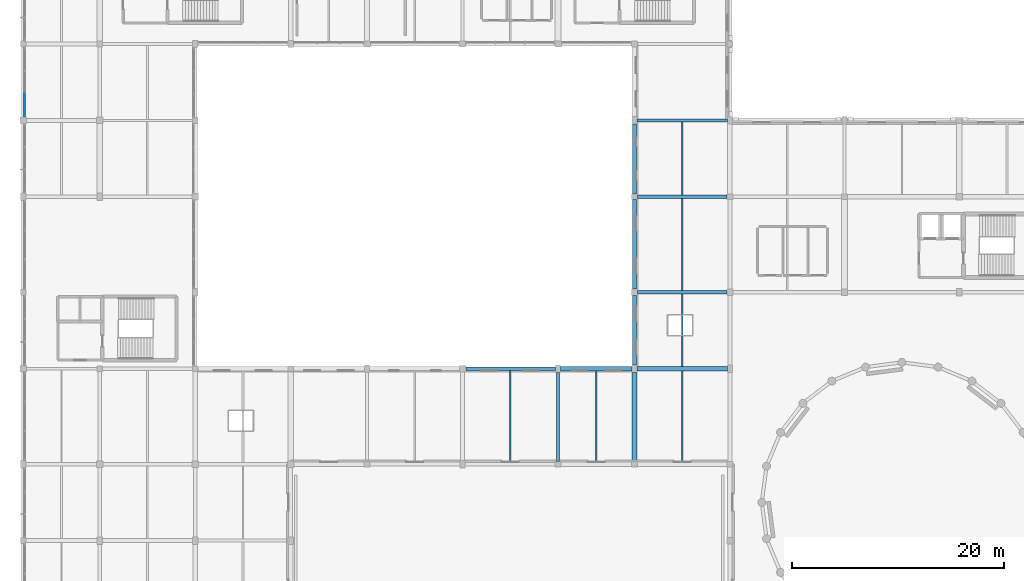
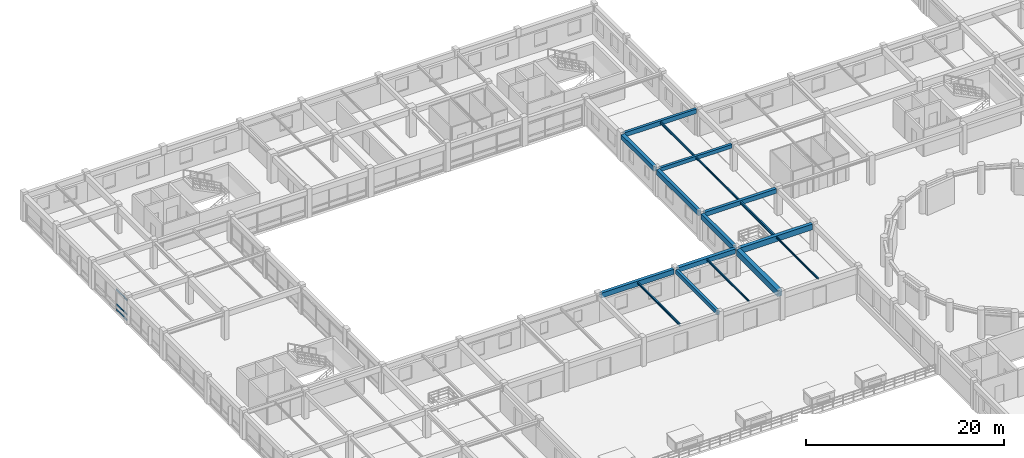
# One storey, part 22 of 74: 17 beams, 3 members, 1 element without a shape of its own.
"""IFC4 building model written with IfcOpenShell, lengths in metres."""

from ifc_helpers import new_model, si_unit, direction, frame, origin, origin_2d, place, context, subcontext, project, spatial, rectangle, i_section, extrude, material, material_profile, profile_set, type_object, element, aggregate, save


model = new_model("IFC4")

# Units and contexts
model_context = context("Model", 3, precision=1e-05, world=origin(), true_north=direction((0.0, 1.0)))
body_context = subcontext(model_context, "Body", "Model", "MODEL_VIEW")
ifc_project = project(units=[si_unit("LENGTHUNIT", "METRE"), si_unit("AREAUNIT", "SQUARE_METRE"), si_unit("VOLUMEUNIT", "CUBIC_METRE"), si_unit("PLANEANGLEUNIT", "RADIAN"), si_unit("MASSUNIT", "GRAM", prefix="KILO")], contexts=[model_context])

# Site, building, storey
site_placement = place(None, origin())
site = spatial("IfcSite", under=ifc_project, at=site_placement, CompositionType="ELEMENT")
building_placement = place(site_placement, origin())
building = spatial("IfcBuilding", under=site, at=building_placement, Name="Clarverna Civic Hall", CompositionType="ELEMENT")
storey_placement = place(building_placement, frame((0.0, 0.0, 9.60009765625)))
storey = spatial("IfcBuildingStorey", under=building, at=storey_placement, Name="L02", CompositionType="ELEMENT", Elevation=9.60009765625)

# Beams
ifc_material_1 = material(Name="Concrete C35/45", Category="concrete")
ifc_material_profile_1 = material_profile(ifc_material_1, rectangle(XDim=0.300048828125, YDim=0.550048828125, at=origin_2d()), Name="RC 300x550")
ifc_profile_set_1 = profile_set([ifc_material_profile_1], Name="Concrete C35/45")
beam_type_1 = type_object("IfcBeamType", Name="B-RC11", PredefinedType="BEAM", material=ifc_profile_set_1)
beam_1_placement = place(storey_placement, frame((57.85009765625, 95.0, 3.0048828125), z_axis=(1.0, 0.0, 0.0), x_axis=(0.0, 1.0, 0.0)))
element("IfcBeam", 1, at=beam_1_placement, inside=storey, type_object=beam_type_1, Name="B-RC11-028", PredefinedType="BEAM", context=body_context, shape_type="SweptSolid", body=[
    extrude(rectangle(XDim=0.300048828125, YDim=0.550048828125, at=origin_2d()), origin(), (0.0, 0.0, 1.0), 8.5),
])
ifc_material_profile_2 = material_profile(ifc_material_1, rectangle(XDim=0.300048828125, YDim=0.5, at=origin_2d()), Name="RC 300x500")
ifc_profile_set_2 = profile_set([ifc_material_profile_2], Name="Concrete C35/45")
beam_type_2 = type_object("IfcBeamType", Name="B-RC12", PredefinedType="BEAM", material=ifc_profile_set_2)
beam_2_placement = place(storey_placement, frame((50.39990234375, 62.875, 3.10986328125), z_axis=(0.0, 1.0, 0.0), x_axis=(-1.0, 0.0, 0.0)))
element("IfcBeam", 2, at=beam_2_placement, inside=storey, type_object=beam_type_2, Name="B-RC12-041", PredefinedType="BEAM", context=body_context, shape_type="SweptSolid", body=[
    extrude(rectangle(XDim=0.300048828125, YDim=0.5, at=origin_2d()), origin(), (0.0, 0.0, 1.0), 8.375),
])
ifc_material_profile_3 = material_profile(ifc_material_1, rectangle(XDim=0.5, YDim=0.75, at=origin_2d()), Name="RC 500x750")
ifc_profile_set_3 = profile_set([ifc_material_profile_3], Name="Concrete C35/45")
beam_type_3 = type_object("IfcBeamType", Name="B-RC15", PredefinedType="BEAM", material=ifc_profile_set_3)
beam_3_placement = place(storey_placement, frame((57.60009765625, 62.875, 2.98486328125), z_axis=(0.0, 1.0, 0.0), x_axis=(-1.0, 0.0, 0.0)))
element("IfcBeam", 3, at=beam_3_placement, inside=storey, type_object=beam_type_3, Name="B-RC15-040", PredefinedType="BEAM", context=body_context, shape_type="SweptSolid", body=[
    extrude(rectangle(XDim=0.5, YDim=0.75, at=origin_2d()), origin(), (0.0, 0.0, 1.0), 8.375),
])
ifc_material_profile_4 = material_profile(ifc_material_1, rectangle(XDim=0.300048828125, YDim=0.449951171875, at=origin_2d()), Name="RC 300x450")
ifc_profile_set_4 = profile_set([ifc_material_profile_4], Name="Concrete C35/45")
beam_type_4 = type_object("IfcBeamType", Name="B-RC18", PredefinedType="BEAM", material=ifc_profile_set_4)
beam_4_placement = place(storey_placement, frame((57.875, 87.800048828125, 3.054931640625), z_axis=(1.0, 0.0, 0.0), x_axis=(0.0, 1.0, 0.0)))
element("IfcBeam", 4, at=beam_4_placement, inside=storey, type_object=beam_type_4, Name="B-RC18-034", PredefinedType="BEAM", context=body_context, shape_type="SweptSolid", body=[
    extrude(rectangle(XDim=0.300048828125, YDim=0.449951171875, at=origin_2d()), origin(), (0.0, 0.0, 1.0), 8.449951171875),
])
ifc_material_profile_5 = material_profile(ifc_material_1, rectangle(XDim=0.39990234375, YDim=0.699951171875, at=origin_2d()), Name="RC 400x700")
ifc_profile_set_5 = profile_set([ifc_material_profile_5], Name="Concrete C35/45")
beam_type_5 = type_object("IfcBeamType", Name="B-RC5", PredefinedType="BEAM", material=ifc_profile_set_5)
beam_5_placement = place(storey_placement, frame((57.85009765625, 71.60009765625, 2.929931640625), z_axis=(1.0, 0.0, 0.0), x_axis=(0.0, 1.0, 0.0)))
element("IfcBeam", 5, at=beam_5_placement, inside=storey, type_object=beam_type_5, Name="B-RC5-029", PredefinedType="BEAM", context=body_context, shape_type="SweptSolid", body=[
    extrude(rectangle(XDim=0.39990234375, YDim=0.699951171875, at=origin_2d()), origin(), (0.0, 0.0, 1.0), 8.5),
])
ifc_material_profile_6 = material_profile(ifc_material_1, rectangle(XDim=0.35009765625, YDim=0.550048828125, at=origin_2d()), Name="RC 350x550")
ifc_profile_set_6 = profile_set([ifc_material_profile_6], Name="Concrete C35/45")
beam_type_6 = type_object("IfcBeamType", Name="B-RC9", PredefinedType="BEAM", material=ifc_profile_set_6)
beam_6_placement = place(storey_placement, frame((57.89990234375, 78.800048828125, 3.0048828125), z_axis=(1.0, 0.0, 0.0), x_axis=(0.0, 1.0, 0.0)))
element("IfcBeam", 6, at=beam_6_placement, inside=storey, type_object=beam_type_6, Name="B-RC9-034", PredefinedType="BEAM", context=body_context, shape_type="SweptSolid", body=[
    extrude(rectangle(XDim=0.35009765625, YDim=0.550048828125, at=origin_2d()), origin(), (0.0, 0.0, 1.0), 8.400146484375),
])
ifc_material_profile_7 = material_profile(ifc_material_1, rectangle(XDim=0.3798828125, YDim=0.679931640625, at=origin_2d()), Name="RC 380x680")
ifc_profile_set_7 = profile_set([ifc_material_profile_7], Name="Concrete C35/45")
beam_type_7 = type_object("IfcBeamType", Name="B-SP2", PredefinedType="SPANDREL", material=ifc_profile_set_7)
beam_7_placement = place(storey_placement, frame((57.60009765625, 71.949951171875, 3.02001953125), z_axis=(0.0, 1.0, 0.0), x_axis=(-1.0, 0.0, 0.0)))
element("IfcBeam", 7, at=beam_7_placement, inside=storey, type_object=beam_type_7, Name="B-SP2-102", PredefinedType="SPANDREL", context=body_context, shape_type="SweptSolid", body=[
    extrude(rectangle(XDim=0.3798828125, YDim=0.679931640625, at=origin_2d()), origin(), (0.0, 0.0, 1.0), 6.550048828125),
])
ifc_material_profile_8 = material_profile(ifc_material_1, rectangle(XDim=0.360107421875, YDim=0.6201171875, at=origin_2d()), Name="RC 360x620")
ifc_profile_set_8 = profile_set([ifc_material_profile_8], Name="Concrete C35/45")
beam_type_8 = type_object("IfcBeamType", Name="B-SP3", PredefinedType="SPANDREL", material=ifc_profile_set_8)
beam_8_placement = place(storey_placement, frame((41.699951171875, 71.60009765625, 3.0498046875), z_axis=(1.0, 0.0, 0.0), x_axis=(0.0, 1.0, 0.0)))
element("IfcBeam", 8, at=beam_8_placement, inside=storey, type_object=beam_type_8, Name="B-SP3-086", PredefinedType="SPANDREL", context=body_context, shape_type="SweptSolid", body=[
    extrude(rectangle(XDim=0.360107421875, YDim=0.6201171875, at=origin_2d()), origin(), (0.0, 0.0, 1.0), 8.449951171875),
])
beam_9_placement = place(storey_placement, frame((57.60009765625, 79.10009765625, 3.0498046875), z_axis=(0.0, 1.0, 0.0), x_axis=(-1.0, 0.0, 0.0)))
element("IfcBeam", 9, at=beam_9_placement, inside=storey, type_object=beam_type_8, Name="B-SP3-100", PredefinedType="SPANDREL", context=body_context, shape_type="SweptSolid", body=[
    extrude(rectangle(XDim=0.360107421875, YDim=0.6201171875, at=origin_2d()), origin(), (0.0, 0.0, 1.0), 8.4248046875),
])
ifc_material_profile_9 = material_profile(ifc_material_1, rectangle(XDim=0.39990234375, YDim=0.56005859375, at=origin_2d()), Name="RC 400x560")
ifc_profile_set_9 = profile_set([ifc_material_profile_9], Name="Concrete C35/45")
beam_type_9 = type_object("IfcBeamType", Name="B-SP4", PredefinedType="SPANDREL", material=ifc_profile_set_9)
beam_10_placement = place(storey_placement, frame((50.64990234375, 71.60009765625, 3.079833984375), z_axis=(1.0, 0.0, 0.0), x_axis=(0.0, 1.0, 0.0)))
element("IfcBeam", 10, at=beam_10_placement, inside=storey, type_object=beam_type_9, Name="B-SP4-085", PredefinedType="SPANDREL", context=body_context, shape_type="SweptSolid", body=[
    extrude(rectangle(XDim=0.39990234375, YDim=0.56005859375, at=origin_2d()), origin(), (0.0, 0.0, 1.0), 6.7001953125),
])
beam_11_placement = place(storey_placement, frame((57.60009765625, 88.074951171875, 3.079833984375), z_axis=(0.0, 1.0, 0.0), x_axis=(-1.0, 0.0, 0.0)))
element("IfcBeam", 11, at=beam_11_placement, inside=storey, type_object=beam_type_9, Name="B-SP4-099", PredefinedType="SPANDREL", context=body_context, shape_type="SweptSolid", body=[
    extrude(rectangle(XDim=0.39990234375, YDim=0.56005859375, at=origin_2d()), origin(), (0.0, 0.0, 1.0), 6.574951171875),
])

# Curtain wall, members
ifc_material_2 = material(Name="Anodised Bronze Architectural Aluminium", Category="aluminium")
curtain_wall_type = type_object("IfcCurtainWallType", Name="CW-01", PredefinedType="USERDEFINED", material=ifc_material_2)
curtain_wall_placement = place(storey_placement, origin())
curtain_wall = element("IfcCurtainWall", 12, at=curtain_wall_placement, inside=storey, type_object=curtain_wall_type, Name="CW-01-027", ObjectType="UNITISED CURTAIN WALL", PredefinedType="USERDEFINED")
ifc_material_profile_10 = material_profile(ifc_material_2, rectangle(XDim=0.06005859375, YDim=0.14990234375, at=origin_2d()), Name="BRONZE 60x150")
ifc_profile_set_10 = profile_set([ifc_material_profile_10], Name="Anodised Bronze Architectural Aluminium")
member_type = type_object("IfcMemberType", Name="CWT-01", PredefinedType="USERDEFINED", material=ifc_profile_set_10)
member_1_placement = place(storey_placement, frame((0.139892578125, 95.387939453125, 0.094970703125), z_axis=(0.0, 1.0, 0.0), x_axis=(-1.0, 0.0, 0.0)))
member_1 = element("IfcMember", 13, at=member_1_placement, type_object=member_type, Name="CWT-01-163", ObjectType="TRANSOM", PredefinedType="USERDEFINED", context=body_context, shape_type="SweptSolid", body=[
    extrude(rectangle(XDim=0.06005859375, YDim=0.14990234375, at=origin_2d()), origin(), (0.0, 0.0, 1.0), 2.129638671875),
])
member_2_placement = place(storey_placement, frame((0.139892578125, 95.387939453125, 0.75), z_axis=(0.0, 1.0, 0.0), x_axis=(-1.0, 0.0, 0.0)))
member_2 = element("IfcMember", 14, at=member_2_placement, type_object=member_type, Name="CWT-01-164", ObjectType="TRANSOM", PredefinedType="USERDEFINED", context=body_context, shape_type="SweptSolid", body=[
    extrude(rectangle(XDim=0.06005859375, YDim=0.14990234375, at=origin_2d()), origin(), (0.0, 0.0, 1.0), 2.129638671875),
])
member_3_placement = place(storey_placement, frame((0.139892578125, 95.387939453125, 2.544921875), z_axis=(0.0, 1.0, 0.0), x_axis=(-1.0, 0.0, 0.0)))
member_3 = element("IfcMember", 15, at=member_3_placement, type_object=member_type, Name="CWT-01-165", ObjectType="TRANSOM", PredefinedType="USERDEFINED", context=body_context, shape_type="SweptSolid", body=[
    extrude(rectangle(XDim=0.06005859375, YDim=0.14990234375, at=origin_2d()), origin(), (0.0, 0.0, 1.0), 2.129638671875),
])
aggregate(curtain_wall, [member_1, member_2, member_3])

# Beams
ifc_material_3 = material(Name="Steel S355", Category="steel")
ifc_material_profile_11 = material_profile(ifc_material_3, i_section(OverallWidth=0.169921875, OverallDepth=0.360107421875, WebThickness=0.008056640625, FlangeThickness=0.0126953125, FilletRadius=0.01806640625, at=origin_2d()), Name="IPE 360")
ifc_profile_set_11 = profile_set([ifc_material_profile_11], Name="Steel S355")
beam_type_10 = type_object("IfcBeamType", Name="J-ST1", PredefinedType="JOIST", material=ifc_profile_set_11)
beam_12_placement = place(storey_placement, frame((62.10009765625, 71.800048828125, 3.099853515625), z_axis=(0.0, 1.0, 0.0), x_axis=(-1.0, 0.0, 0.0)))
element("IfcBeam", 16, at=beam_12_placement, inside=storey, type_object=beam_type_10, Name="J-ST1-053", PredefinedType="JOIST", context=body_context, shape_type="SweptSolid", body=[
    extrude(i_section(OverallWidth=0.169921875, OverallDepth=0.360107421875, WebThickness=0.008056640625, FlangeThickness=0.0126953125, FilletRadius=0.01806640625, at=origin_2d()), origin(), (0.0, 0.0, 1.0), 6.824951171875),
])
ifc_material_profile_12 = material_profile(ifc_material_3, i_section(OverallWidth=0.135009765625, OverallDepth=0.27001953125, WebThickness=0.006591796875, FlangeThickness=0.01025390625, FilletRadius=0.014892578125, at=origin_2d()), Name="IPE 270")
ifc_profile_set_12 = profile_set([ifc_material_profile_12], Name="Steel S355")
beam_type_11 = type_object("IfcBeamType", Name="J-ST4", PredefinedType="JOIST", material=ifc_profile_set_12)
beam_13_placement = place(storey_placement, frame((45.89990234375, 62.780029296875, 3.224853515625), z_axis=(0.0, 1.0, 0.0), x_axis=(-1.0, 0.0, 0.0)))
element("IfcBeam", 17, at=beam_13_placement, inside=storey, type_object=beam_type_11, Name="J-ST4-054", PredefinedType="JOIST", context=body_context, shape_type="SweptSolid", body=[
    extrude(i_section(OverallWidth=0.135009765625, OverallDepth=0.27001953125, WebThickness=0.006591796875, FlangeThickness=0.01025390625, FilletRadius=0.014892578125, at=origin_2d()), origin(), (0.0, 0.0, 1.0), 8.639892578125),
])
beam_14_placement = place(storey_placement, frame((62.10009765625, 87.949951171875, 3.14501953125), z_axis=(0.0, 1.0, 0.0), x_axis=(-1.0, 0.0, 0.0)))
element("IfcBeam", 18, at=beam_14_placement, inside=storey, type_object=beam_type_11, Name="J-ST4-056", PredefinedType="JOIST", context=body_context, shape_type="SweptSolid", body=[
    extrude(i_section(OverallWidth=0.135009765625, OverallDepth=0.27001953125, WebThickness=0.006591796875, FlangeThickness=0.01025390625, FilletRadius=0.014892578125, at=origin_2d()), origin(), (0.0, 0.0, 1.0), 6.900146484375),
])
ifc_material_profile_13 = material_profile(ifc_material_3, i_section(OverallWidth=0.1201171875, OverallDepth=0.239990234375, WebThickness=0.006103515625, FlangeThickness=0.009765625, FilletRadius=0.014892578125, at=origin_2d()), Name="IPE 240")
ifc_profile_set_13 = profile_set([ifc_material_profile_13], Name="Steel S355")
beam_type_12 = type_object("IfcBeamType", Name="J-ST5", PredefinedType="JOIST", material=ifc_profile_set_13)
beam_15_placement = place(storey_placement, frame((54.0, 62.800048828125, 3.239990234375), z_axis=(0.0, 1.0, 0.0), x_axis=(-1.0, 0.0, 0.0)))
element("IfcBeam", 19, at=beam_15_placement, inside=storey, type_object=beam_type_12, Name="J-ST5-052", PredefinedType="JOIST", context=body_context, shape_type="SweptSolid", body=[
    extrude(i_section(OverallWidth=0.1201171875, OverallDepth=0.239990234375, WebThickness=0.006103515625, FlangeThickness=0.009765625, FilletRadius=0.014892578125, at=origin_2d()), origin(), (0.0, 0.0, 1.0), 8.599853515625),
])
beam_16_placement = place(storey_placement, frame((62.10009765625, 78.97509765625, 3.159912109375), z_axis=(0.0, 1.0, 0.0), x_axis=(-1.0, 0.0, 0.0)))
element("IfcBeam", 20, at=beam_16_placement, inside=storey, type_object=beam_type_12, Name="J-ST5-053", PredefinedType="JOIST", context=body_context, shape_type="SweptSolid", body=[
    extrude(i_section(OverallWidth=0.1201171875, OverallDepth=0.239990234375, WebThickness=0.006103515625, FlangeThickness=0.009765625, FilletRadius=0.014892578125, at=origin_2d()), origin(), (0.0, 0.0, 1.0), 8.6748046875),
])
ifc_material_profile_14 = material_profile(ifc_material_3, i_section(OverallWidth=0.110107421875, OverallDepth=0.219970703125, WebThickness=0.005859375, FlangeThickness=0.00927734375, FilletRadius=0.011962890625, at=origin_2d()), Name="IPE 220")
ifc_profile_set_14 = profile_set([ifc_material_profile_14], Name="Steel S355")
beam_type_13 = type_object("IfcBeamType", Name="J-ST6", PredefinedType="JOIST", material=ifc_profile_set_14)
beam_17_placement = place(storey_placement, frame((62.10009765625, 62.81005859375, 3.169921875), z_axis=(0.0, 1.0, 0.0), x_axis=(-1.0, 0.0, 0.0)))
element("IfcBeam", 21, at=beam_17_placement, inside=storey, type_object=beam_type_13, Name="J-ST6-053", PredefinedType="JOIST", context=body_context, shape_type="SweptSolid", body=[
    extrude(i_section(OverallWidth=0.110107421875, OverallDepth=0.219970703125, WebThickness=0.005859375, FlangeThickness=0.00927734375, FilletRadius=0.011962890625, at=origin_2d()), origin(), (0.0, 0.0, 1.0), 8.58984375),
])

save(model, "model.ifc")
